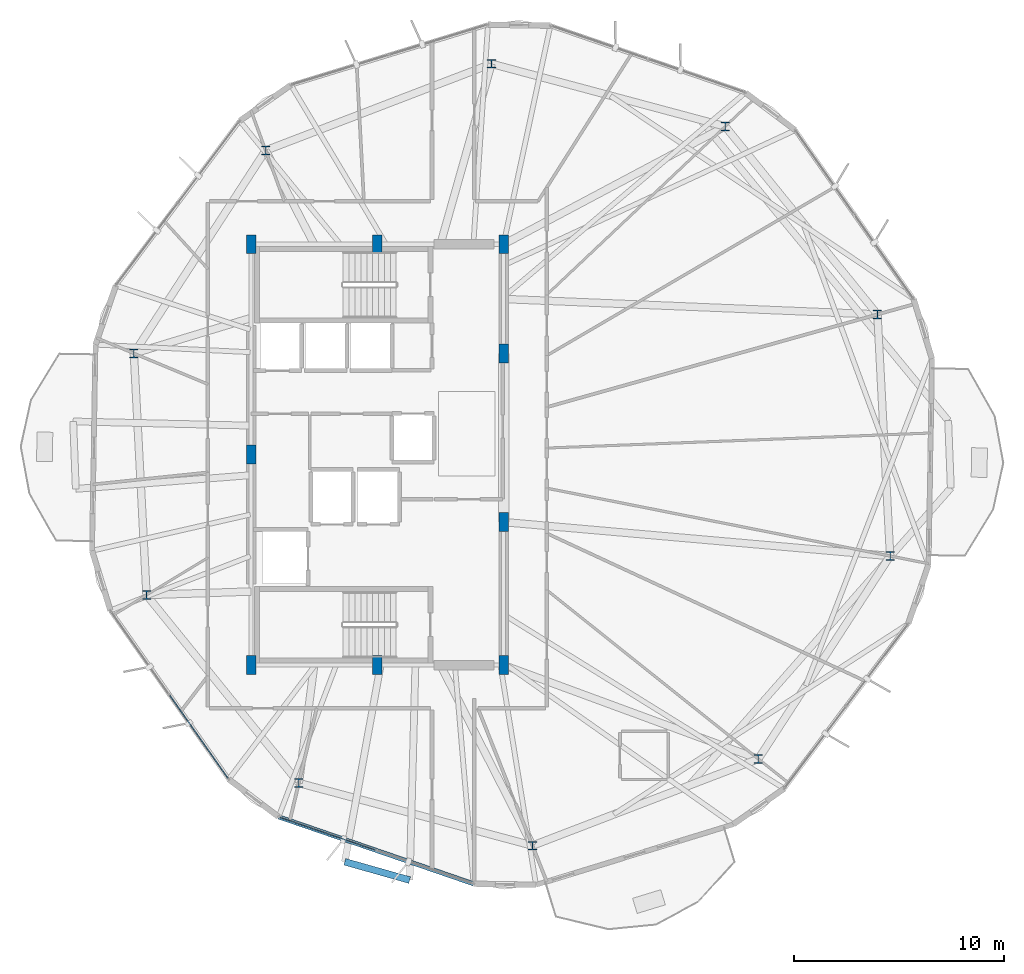
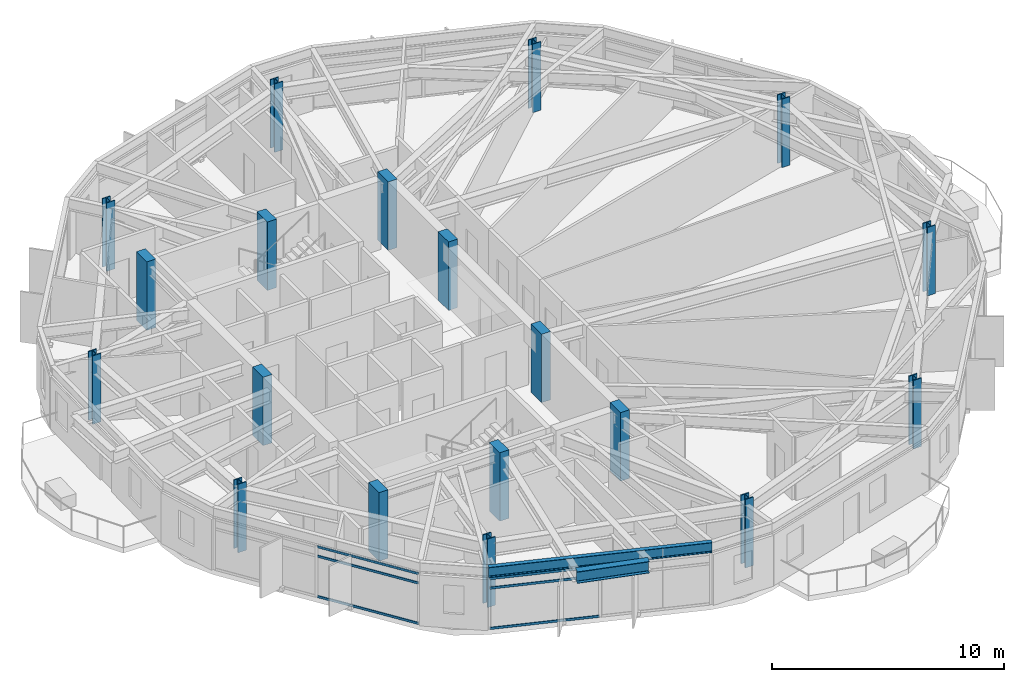
# One storey, part 1 of 29: 19 columns, 6 members, 2 beams, 2 elements without a shape of their own.
"""IFC4 building model written with IfcOpenShell, lengths in metres."""

from ifc_helpers import new_model, si_unit, direction, frame, origin, origin_2d, place, context, subcontext, project, spatial, rectangle, hollow_rectangle, i_section, extrude, material, layer, layer_set, material_profile, profile_set, type_object, element, aggregate, save


model = new_model("IFC4")

# Units and contexts
model_context = context("Model", 3, precision=1e-05, world=origin(), true_north=direction((0.0, 1.0)))
body_context = subcontext(model_context, "Body", "Model", "MODEL_VIEW")
ifc_project = project(units=[si_unit("LENGTHUNIT", "METRE"), si_unit("AREAUNIT", "SQUARE_METRE"), si_unit("VOLUMEUNIT", "CUBIC_METRE"), si_unit("PLANEANGLEUNIT", "RADIAN"), si_unit("MASSUNIT", "GRAM", prefix="KILO")], contexts=[model_context])

# Site, building, storey
site_placement = place(None, origin())
site = spatial("IfcSite", under=ifc_project, at=site_placement, CompositionType="ELEMENT")
building_placement = place(site_placement, origin())
building = spatial("IfcBuilding", under=site, at=building_placement, Name="Soratama Intermodal Tower", CompositionType="ELEMENT")
storey_placement = place(building_placement, frame((0.0, 0.0, 226.60009765625)))
storey = spatial("IfcBuildingStorey", under=building, at=storey_placement, Name="L57", CompositionType="ELEMENT", Elevation=226.60009765625)

# Columns
ifc_material_1 = material(Name="Structural steel ASTM A992 Grade 50", Category="steel")
ifc_material_profile_1 = material_profile(ifc_material_1, i_section(OverallWidth=0.406005859375, OverallDepth=0.416015625, WebThickness=0.02978515625, FlangeThickness=0.048095703125, FilletRadius=0.0380859375, at=origin_2d()), Name="W14X257")
ifc_profile_set_1 = profile_set([ifc_material_profile_1], Name="Structural steel ASTM A992 Grade 50")
column_type_1 = type_object("IfcColumnType", Name="COL-ZD-W14X257", PredefinedType="COLUMN", material=ifc_profile_set_1)
for number, where, z_axis, x_axis, name in (
    (1, (62.364501953125, 31.66552734375, 0.0), (0.0, 0.0, 1.0), (1.0, 0.0, 0.0), "L57 Tower Ring Column R01"),
    (2, (55.13037109375, 40.599365234375, 0.0), (0.0, 0.0, 1.0), (1.0, 0.0, 0.0), "L57 Tower Ring Column R02"),
    (3, (44.026611328125, 43.574462890625, 0.0), (0.0, 0.0, 1.0), (1.0, 0.0, 0.0), "L57 Tower Ring Column R03"),
    (4, (33.294677734375, 39.454833984375, 0.0), (0.0, 0.0, 1.0), (1.0, 0.0, 0.0), "L57 Tower Ring Column R04"),
    (5, (27.03369140625, 29.81396484375, 0.0), (0.0, 0.0, 1.0), (1.0, 0.0, 0.0), "L57 Tower Ring Column R05"),
    (6, (27.635498046875, 18.33447265625, 0.0), (0.0, 0.0, 1.0), (1.0, 0.0, 0.0), "L57 Tower Ring Column R06"),
    (7, (34.86962890625, 9.400634765625, 0.0), (0.0, 0.0, 1.0), (1.0, 0.0, 0.0), "L57 Tower Ring Column R07"),
    (8, (45.973388671875, 6.425537109375, 0.0), (0.0, 0.0, 1.0), (1.0, 0.0, 0.0), "L57 Tower Ring Column R08"),
    (9, (56.705322265625, 10.545166015625, 0.0), (0.0, 0.0, 1.0), (1.0, 0.0, 0.0), "L57 Tower Ring Column R09"),
    (10, (62.96630859375, 20.18603515625, 0.0), (0.0, 0.0, 1.0), (1.0, 0.0, 0.0), "L57 Tower Ring Column R10"),
):
    element("IfcColumn", number, at=place(storey_placement, frame(where, z_axis=z_axis, x_axis=x_axis)), inside=storey, type_object=column_type_1, Name=name, PredefinedType="COLUMN", context=body_context, shape_type="SweptSolid", body=[
        extrude(i_section(OverallWidth=0.406005859375, OverallDepth=0.416015625, WebThickness=0.02978515625, FlangeThickness=0.048095703125, FilletRadius=0.0380859375, at=origin_2d()), origin(), (0.0, 0.0, 1.0), 3.599853515625),
    ])
ifc_material_2 = material(Name="Concrete f'c 56 MPa", Category="concrete")
ifc_material_profile_2 = material_profile(ifc_material_2, rectangle(XDim=0.449951171875, YDim=0.89990234375, at=origin_2d()), Name="RC450X900")
ifc_profile_set_2 = profile_set([ifc_material_profile_2], Name="Concrete f'c 56 MPa")
column_type_2 = type_object("IfcColumnType", Name="PIL-CORE-450X900", PredefinedType="PILASTER", material=ifc_profile_set_2)
for number, where, z_axis, x_axis, name in (
    (11, (32.60009765625, 15.0, 0.0), (0.0, 0.0, 1.0), (1.0, 0.0, 0.0), "L57 Core Pilaster 1"),
    (12, (32.60009765625, 25.0, 0.0), (0.0, 0.0, 1.0), (1.0, 0.0, 0.0), "L57 Core Pilaster 2"),
    (13, (32.60009765625, 35.0, 0.0), (0.0, 0.0, 1.0), (1.0, 0.0, 0.0), "L57 Core Pilaster 3"),
    (14, (38.60009765625, 15.0, 0.0), (0.0, 0.0, 1.0), (1.0, 0.0, 0.0), "L57 Core Pilaster 4"),
    (15, (38.60009765625, 35.0, 0.0), (0.0, 0.0, 1.0), (1.0, 0.0, 0.0), "L57 Core Pilaster 5"),
    (16, (44.60009765625, 15.0, 0.0), (0.0, 0.0, 1.0), (1.0, 0.0, 0.0), "L57 Core Pilaster 6"),
    (17, (44.60009765625, 21.800048828125, 0.0), (0.0, 0.0, 1.0), (1.0, 0.0, 0.0), "L57 Core Pilaster 7"),
    (18, (44.60009765625, 29.800048828125, 0.0), (0.0, 0.0, 1.0), (1.0, 0.0, 0.0), "L57 Core Pilaster 8"),
    (19, (44.60009765625, 35.0, 0.0), (0.0, 0.0, 1.0), (1.0, 0.0, 0.0), "L57 Core Pilaster 9"),
):
    element("IfcColumn", number, at=place(storey_placement, frame(where, z_axis=z_axis, x_axis=x_axis)), inside=storey, type_object=column_type_2, Name=name, PredefinedType="PILASTER", context=body_context, shape_type="SweptSolid", body=[
        extrude(rectangle(XDim=0.449951171875, YDim=0.89990234375, at=origin_2d()), origin(), (0.0, 0.0, 1.0), 3.599853515625),
    ])

# Beams
ifc_material_3 = material(Name="Structural steel ASTM A992 Grade 50", Category="steel")
ifc_material_profile_3 = material_profile(ifc_material_3, i_section(OverallWidth=0.324951171875, OverallDepth=0.615966796875, WebThickness=0.013916015625, FlangeThickness=0.021484375, FilletRadius=0.013916015625, at=origin_2d()), Name="W24X117")
ifc_profile_set_3 = profile_set([ifc_material_profile_3], Name="Structural steel ASTM A992 Grade 50")
beam_type_1 = type_object("IfcBeamType", Name="BM-CANT-W24X117", PredefinedType="BEAM", material=ifc_profile_set_3)
beam_1_placement = place(storey_placement, frame((37.054931640625, 5.658935546875, 2.991943359375), z_axis=(0.962287729999, -0.272033683013, 0.0), x_axis=(0.272033683013, 0.962287729999, 0.0)))
element("IfcBeam", 20, at=beam_1_placement, inside=storey, type_object=beam_type_1, Name="BM-L57-CBHDR-3", PredefinedType="BEAM", context=body_context, shape_type="SweptSolid", body=[
    extrude(i_section(OverallWidth=0.324951171875, OverallDepth=0.615966796875, WebThickness=0.013916015625, FlangeThickness=0.021484375, FilletRadius=0.013916015625, at=origin_2d()), origin(), (0.0, 0.0, 1.0), 3.204833984375),
])
ifc_material_4 = material(Name="Structural steel ASTM A992 Grade 50", Category="steel")
ifc_material_profile_4 = material_profile(ifc_material_4, i_section(OverallWidth=0.2099609375, OverallDepth=0.537109375, WebThickness=0.010986328125, FlangeThickness=0.017333984375, FilletRadius=0.012939453125, at=origin_2d()), Name="W21X68")
ifc_profile_set_4 = profile_set([ifc_material_profile_4], Name="Structural steel ASTM A992 Grade 50")
beam_type_2 = type_object("IfcBeamType", Name="BM-SPN-W21X68", PredefinedType="SPANDREL", material=ifc_profile_set_4)
beam_2_placement = place(storey_placement, frame((33.908935546875, 7.79296875, 3.031494140625), z_axis=(0.945760786407, -0.324863871328, 0.0), x_axis=(0.324863871328, 0.945760786407, 0.0)))
element("IfcBeam", 21, at=beam_2_placement, inside=storey, type_object=beam_type_2, Name="BS-L57-F06", PredefinedType="SPANDREL", context=body_context, shape_type="SweptSolid", body=[
    extrude(i_section(OverallWidth=0.2099609375, OverallDepth=0.537109375, WebThickness=0.010986328125, FlangeThickness=0.017333984375, FilletRadius=0.012939453125, at=origin_2d()), origin(), (0.0, 0.0, 1.0), 9.797607421875),
])

# Curtain wall, members
ifc_material_5 = material(Name="Double-glazed aluminium curtain wall", Category="aluminium")
ifc_layer = layer(ifc_material_5, 0.159912109375)
ifc_layer_set = layer_set([ifc_layer], Name="Double-glazed aluminium curtain wall")
curtain_wall_type = type_object("IfcCurtainWallType", Name="CW-SYS-5", PredefinedType="NOTDEFINED", material=ifc_layer_set)
curtain_wall_1_placement = place(storey_placement, origin())
curtain_wall_1 = element("IfcCurtainWall", 22, at=curtain_wall_1_placement, inside=storey, type_object=curtain_wall_type, Name="L57 Faceted Curtain Wall F05", PredefinedType="NOTDEFINED")
ifc_material_6 = material(Name="Anodised aluminium AA 6063-T6", Category="aluminium")
ifc_material_profile_5 = material_profile(ifc_material_6, hollow_rectangle(XDim=0.06005859375, YDim=0.1298828125, WallThickness=0.0048828125, InnerFilletRadius=0.0048828125, OuterFilletRadius=0.010009765625, at=origin_2d()), Name="CWT130X60X5")
ifc_profile_set_5 = profile_set([ifc_material_profile_5], Name="Anodised aluminium AA 6063-T6")
member_type = type_object("IfcMemberType", Name="TT-CWT-2", PredefinedType="USERDEFINED", material=ifc_profile_set_5)
member_1_placement = place(storey_placement, frame((28.742919921875, 13.56298828125, 0.02978515625), z_axis=(0.574147014845, -0.818752224635, 0.0), x_axis=(0.818752224635, 0.574147014845, 0.0)))
member_1 = element("IfcMember", 23, at=member_1_placement, type_object=member_type, Name="CW-5 transom 2.1", ObjectType="TRANSOM", PredefinedType="USERDEFINED", context=body_context, shape_type="SweptSolid", body=[
    extrude(hollow_rectangle(XDim=0.06005859375, YDim=0.1298828125, WallThickness=0.0048828125, InnerFilletRadius=0.0048828125, OuterFilletRadius=0.010009765625, at=origin_2d()), origin(), (0.0, 0.0, 1.0), 4.808837890625),
])
member_2_placement = place(storey_placement, frame((28.742919921875, 13.56298828125, 2.14990234375), z_axis=(0.574147014845, -0.818752224635, 0.0), x_axis=(0.818752224635, 0.574147014845, 0.0)))
member_2 = element("IfcMember", 24, at=member_2_placement, type_object=member_type, Name="CW-5 transom 2.2", ObjectType="TRANSOM", PredefinedType="USERDEFINED", context=body_context, shape_type="SweptSolid", body=[
    extrude(hollow_rectangle(XDim=0.06005859375, YDim=0.1298828125, WallThickness=0.0048828125, InnerFilletRadius=0.0048828125, OuterFilletRadius=0.010009765625, at=origin_2d()), origin(), (0.0, 0.0, 1.0), 4.808837890625),
])
member_3_placement = place(storey_placement, frame((28.742919921875, 13.56298828125, 2.64892578125), z_axis=(0.574147014845, -0.818752224635, 0.0), x_axis=(0.818752224635, 0.574147014845, 0.0)))
member_3 = element("IfcMember", 25, at=member_3_placement, type_object=member_type, Name="CW-5 transom 2.3", ObjectType="TRANSOM", PredefinedType="USERDEFINED", context=body_context, shape_type="SweptSolid", body=[
    extrude(hollow_rectangle(XDim=0.06005859375, YDim=0.1298828125, WallThickness=0.0048828125, InnerFilletRadius=0.0048828125, OuterFilletRadius=0.010009765625, at=origin_2d()), origin(), (0.0, 0.0, 1.0), 4.808837890625),
])
aggregate(curtain_wall_1, [member_1, member_2, member_3])

curtain_wall_2_placement = place(storey_placement, origin())
curtain_wall_2 = element("IfcCurtainWall", 26, at=curtain_wall_2_placement, inside=storey, type_object=curtain_wall_type, Name="L57 Faceted Curtain Wall F06", PredefinedType="NOTDEFINED")
member_4_placement = place(storey_placement, frame((33.96533203125, 7.7734375, 0.02978515625), z_axis=(0.945760222135, -0.324865514061, 0.0), x_axis=(0.324865514061, 0.945760222135, 0.0)))
member_4 = element("IfcMember", 27, at=member_4_placement, type_object=member_type, Name="CW-5 transom 1.1", ObjectType="TRANSOM", PredefinedType="USERDEFINED", context=body_context, shape_type="SweptSolid", body=[
    extrude(hollow_rectangle(XDim=0.06005859375, YDim=0.1298828125, WallThickness=0.0048828125, InnerFilletRadius=0.0048828125, OuterFilletRadius=0.010009765625, at=origin_2d()), origin(), (0.0, 0.0, 1.0), 4.808837890625),
])
member_5_placement = place(storey_placement, frame((33.96533203125, 7.7734375, 2.14990234375), z_axis=(0.945760222135, -0.324865514061, 0.0), x_axis=(0.324865514061, 0.945760222135, 0.0)))
member_5 = element("IfcMember", 28, at=member_5_placement, type_object=member_type, Name="CW-5 transom 1.2", ObjectType="TRANSOM", PredefinedType="USERDEFINED", context=body_context, shape_type="SweptSolid", body=[
    extrude(hollow_rectangle(XDim=0.06005859375, YDim=0.1298828125, WallThickness=0.0048828125, InnerFilletRadius=0.0048828125, OuterFilletRadius=0.010009765625, at=origin_2d()), origin(), (0.0, 0.0, 1.0), 4.808837890625),
])
member_6_placement = place(storey_placement, frame((33.96533203125, 7.7734375, 2.64892578125), z_axis=(0.945760222135, -0.324865514061, 0.0), x_axis=(0.324865514061, 0.945760222135, 0.0)))
member_6 = element("IfcMember", 29, at=member_6_placement, type_object=member_type, Name="CW-5 transom 1.3", ObjectType="TRANSOM", PredefinedType="USERDEFINED", context=body_context, shape_type="SweptSolid", body=[
    extrude(hollow_rectangle(XDim=0.06005859375, YDim=0.1298828125, WallThickness=0.0048828125, InnerFilletRadius=0.0048828125, OuterFilletRadius=0.010009765625, at=origin_2d()), origin(), (0.0, 0.0, 1.0), 4.808837890625),
])
aggregate(curtain_wall_2, [member_4, member_5, member_6])

save(model, "model.ifc")
